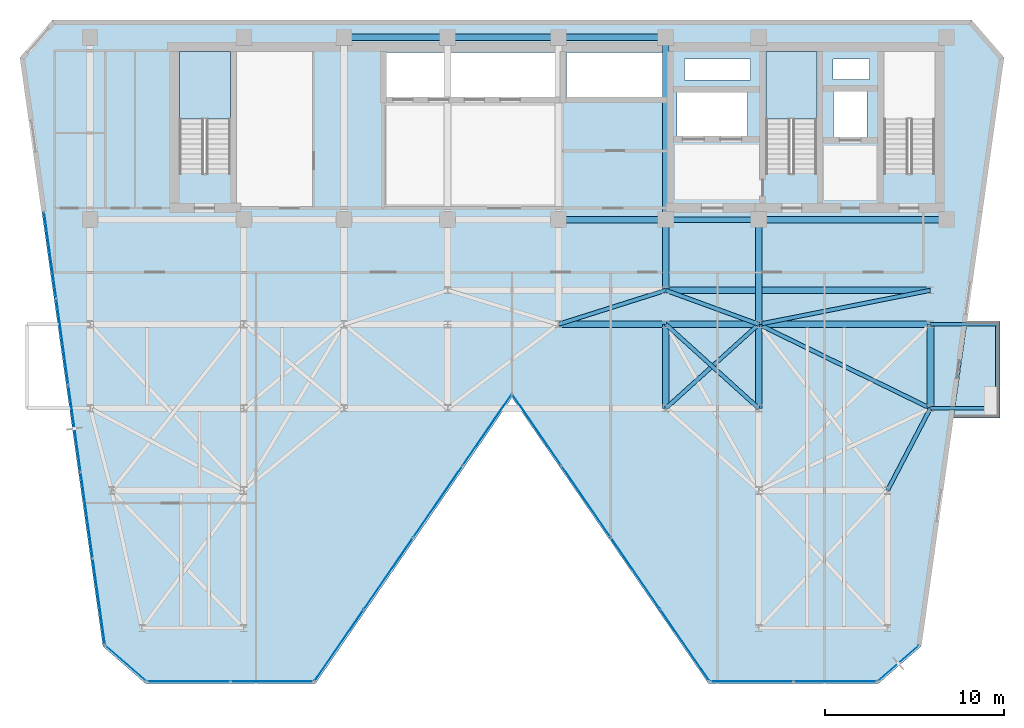
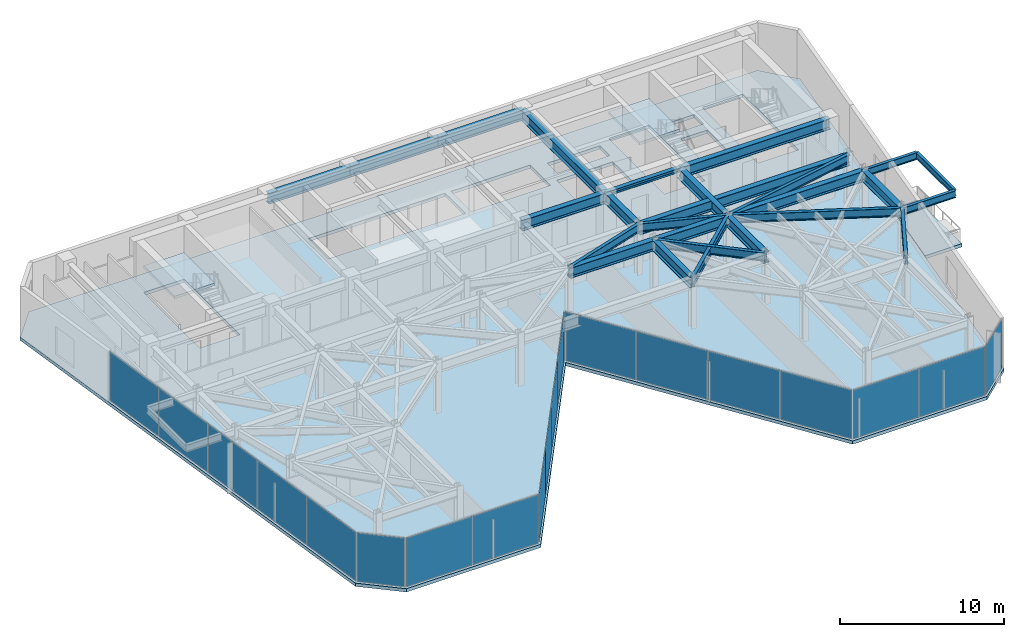
# One storey, part 21 of 26: 26 beams, 19 plates, 4 slabs, 9 elements without a shape of their own.
"""IFC4 building model written with IfcOpenShell, lengths in metres."""

import ifcopenshell
import ifcopenshell.guid

model = None  # the IFC model being written
_history = None  # IfcOwnerHistory: only IFC2X3 demands one
_inside = {}  # id of a spatial element -> (the spatial element, [elements in it])
_under = {}  # id of a project, library or spatial element -> (it, [spatial elements below it])
_declared = {}  # id of a project -> (the project, [libraries it declares])
_typed = {}  # id of a type object -> (the type object, [elements of that type])
_made_of = {}  # id of a material, layer set ... -> (it, [elements and type objects made of it])


def new_model(schema):
    """Start an empty IFC model of exactly this schema.

    Asked for "IFC4X3", IfcOpenShell would pick the latest addendum, in which some entities
    have other attributes; the version numbers below select the first issue.
    IFC2X3 requires an IfcOwnerHistory on every rooted entity: one is made here for all.
    """
    global model, _history
    if schema == "IFC4X3":
        model = ifcopenshell.file(schema_version=(4, 3, 0, 0))
    else:
        model = ifcopenshell.file(schema=schema)
    _inside.clear()
    _under.clear()
    _declared.clear()
    _typed.clear()
    _made_of.clear()
    _history = None
    if model.schema == "IFC2X3":
        org = make("IfcOrganization", Name="unknown")
        user = make(
            "IfcPersonAndOrganization",
            ThePerson=make("IfcPerson", FamilyName="unknown"),
            TheOrganization=org,
        )
        app = make(
            "IfcApplication",
            ApplicationDeveloper=org,
            Version="unknown",
            ApplicationFullName="unknown",
            ApplicationIdentifier="unknown",
        )
        _history = make(
            "IfcOwnerHistory",
            OwningUser=user,
            OwningApplication=app,
            ChangeAction="ADDED",
            CreationDate=0,
        )
    return model


def make(cls, **values):
    """One entity of the class cls with the attributes given. An attribute that is None is left unset."""
    return model.create_entity(
        cls, **{name: value for name, value in values.items() if value is not None}
    )


def rooted(cls, **values):
    """An entity with a GlobalId (a new one), such as an element, a storey or a relation."""
    return make(cls, GlobalId=ifcopenshell.guid.new(), OwnerHistory=_history, **values)


def si_unit(unit_type, name, prefix=None):
    """IfcSIUnit, for example si_unit("LENGTHUNIT", "METRE", prefix="MILLI")."""
    return make("IfcSIUnit", UnitType=unit_type, Prefix=prefix, Name=name)


def assignment(units):
    """IfcUnitAssignment: the units of a project."""
    return None if units is None else make("IfcUnitAssignment", Units=units)


def point(xyz):
    """IfcCartesianPoint."""
    return None if xyz is None else make("IfcCartesianPoint", Coordinates=xyz)


def direction(xyz):
    """IfcDirection."""
    return None if xyz is None else make("IfcDirection", DirectionRatios=xyz)


def frame(location, z_axis=None, x_axis=None):
    """IfcAxis2Placement3D, a coordinate frame: its origin and axes. An axis left out is left unset."""
    return make(
        "IfcAxis2Placement3D",
        Location=point(location),
        Axis=direction(z_axis),
        RefDirection=direction(x_axis),
    )


def frame_2d(location, x_axis=None):
    """IfcAxis2Placement2D, a coordinate frame in the plane: its origin and x axis."""
    return make(
        "IfcAxis2Placement2D", Location=point(location), RefDirection=direction(x_axis)
    )


def origin():
    """The frame at (0, 0, 0) with its axes left unset."""
    return frame((0.0, 0.0, 0.0))


def origin_2d():
    """The frame at (0, 0) in the plane with its x axis left unset."""
    return frame_2d((0.0, 0.0))


def place(relative_to, where):
    """IfcLocalPlacement: puts the frame where relative to a parent placement (None: the world)."""
    return make(
        "IfcLocalPlacement", PlacementRelTo=relative_to, RelativePlacement=where
    )


def context(
    kind, dimensions, precision=None, world=None, true_north=None, identifier=None
):
    """IfcGeometricRepresentationContext, for example the 3D "Model" context."""
    return make(
        "IfcGeometricRepresentationContext",
        ContextIdentifier=identifier,
        ContextType=kind,
        CoordinateSpaceDimension=dimensions,
        Precision=precision,
        WorldCoordinateSystem=world,
        TrueNorth=true_north,
    )


def subcontext(parent, identifier, kind, view, scale=None):
    """IfcGeometricRepresentationSubContext, for example "Body" below "Model"."""
    return make(
        "IfcGeometricRepresentationSubContext",
        ContextIdentifier=identifier,
        ContextType=kind,
        ParentContext=parent,
        TargetScale=scale,
        TargetView=view,
    )


def project(units=None, contexts=None):
    """IfcProject with its units and contexts."""
    return rooted(
        "IfcProject",
        Name="project",
        RepresentationContexts=contexts,
        UnitsInContext=assignment(units),
    )


def spatial(cls, under=None, at=None, **own):
    """A site, building, storey or space (cls), placed at a placement, below another one or the project."""
    s = rooted(cls, ObjectPlacement=at, **own)
    if under is not None:
        _under.setdefault(under.id(), (under, []))[1].append(s)
    return s


def polyline(points):
    """IfcPolyline through the points."""
    return make("IfcPolyline", Points=[point(p) for p in points])


def profile(cls, at=None, kind="AREA", **sizes):
    """A parametric profile (cls). Its sizes go by their IFC names, for example OverallWidth=200.0."""
    return make(cls, ProfileType=kind, Position=at, **sizes)


def rectangle(**sizes):
    """IfcRectangleProfileDef."""
    return profile("IfcRectangleProfileDef", **sizes)


def i_section(**sizes):
    """IfcIShapeProfileDef."""
    return profile("IfcIShapeProfileDef", **sizes)


def outline(outer, holes=None, kind="AREA"):
    """IfcArbitraryClosedProfileDef: a profile drawn as a closed curve; with holes, ...WithVoids."""
    if holes is None:
        return make("IfcArbitraryClosedProfileDef", ProfileType=kind, OuterCurve=outer)
    return make(
        "IfcArbitraryProfileDefWithVoids",
        ProfileType=kind,
        OuterCurve=outer,
        InnerCurves=holes,
    )


def extrude(swept, where, along, depth):
    """IfcExtrudedAreaSolid: the profile swept, set in the frame where, extruded along a direction by depth."""
    return make(
        "IfcExtrudedAreaSolid",
        SweptArea=swept,
        Position=where,
        ExtrudedDirection=direction(along),
        Depth=depth,
    )


def shape(context_of_items, identifier, shape_type, items):
    """IfcShapeRepresentation: the items that make up one representation, for example the "Body"."""
    return make(
        "IfcShapeRepresentation",
        ContextOfItems=context_of_items,
        RepresentationIdentifier=identifier,
        RepresentationType=shape_type,
        Items=items,
    )


def material(Name=None, Category=None):
    """IfcMaterial."""
    return make("IfcMaterial", Name=Name, Category=Category)


def layer(
    of_material, thickness, ventilated=None, Name=None, Category=None, Priority=None
):
    """IfcMaterialLayer: one layer of a wall or slab, of a material (None: an air gap)."""
    return make(
        "IfcMaterialLayer",
        Material=of_material,
        LayerThickness=thickness,
        IsVentilated=ventilated,
        Name=Name,
        Category=Category,
        Priority=Priority,
    )


def layer_set(layers, Name=None):
    """IfcMaterialLayerSet."""
    return make("IfcMaterialLayerSet", MaterialLayers=layers, LayerSetName=Name)


def material_profile(
    of_material, cross_section, Name=None, Category=None, Priority=None
):
    """IfcMaterialProfile: a cross section and its material."""
    return make(
        "IfcMaterialProfile",
        Name=Name,
        Material=of_material,
        Profile=cross_section,
        Priority=Priority,
        Category=Category,
    )


def profile_set(profiles, Name=None, composite=None):
    """IfcMaterialProfileSet."""
    return make(
        "IfcMaterialProfileSet",
        Name=Name,
        MaterialProfiles=profiles,
        CompositeProfile=composite,
    )


def made_of(thing, what):
    """Note that an element or type object is made of a material, layer set ...; save() writes the relation."""
    if what is not None:
        _made_of.setdefault(what.id(), (what, []))[1].append(thing)
    return thing


def type_object(cls, material=None, **own):
    """A type object (cls), such as IfcWallType, which elements share."""
    return made_of(rooted(cls, **own), material)


def element(
    cls,
    number,
    at=None,
    inside=None,
    cuts=None,
    type_object=None,
    material=None,
    context=None,
    identifier="Body",
    shape_type=None,
    held_by="IfcProductDefinitionShape",
    body=None,
    shapes=None,
    **own,
):
    """One element of the class cls, such as IfcWall. Its Tag is "e" and its number.

    at: its placement. inside: the storey or other place that contains it. cuts: it is an
    opening in that element (IfcRelVoidsElement). A single representation is given by context,
    identifier, shape_type and body (its items); several are given by shapes. held_by: the class
    of the entity that holds the representations. save() writes the other relations.
    """
    e = rooted(cls, Tag="e%d" % number, ObjectPlacement=at, **own)
    if body is not None:
        shapes = [shape(context, identifier, shape_type, body)]
    if shapes is not None:
        e.Representation = make(held_by, Representations=shapes)
    if inside is not None:
        _inside.setdefault(inside.id(), (inside, []))[1].append(e)
    if cuts is not None:
        rooted(
            "IfcRelVoidsElement", RelatingBuildingElement=cuts, RelatedOpeningElement=e
        )
    if type_object is not None:
        _typed.setdefault(type_object.id(), (type_object, []))[1].append(e)
    return made_of(e, material)


def aggregate(whole, parts):
    """IfcRelAggregates: a whole, such as a stair, and the parts it consists of."""
    return rooted("IfcRelAggregates", RelatingObject=whole, RelatedObjects=parts)


def save(model, path):
    """Write the relations noted so far, then the file.

    IfcRelAggregates (storeys below a building ...), IfcRelContainedInSpatialStructure (elements
    in a storey), IfcRelDefinesByType, IfcRelAssociatesMaterial and IfcRelDeclares: one each for
    every whole, place, type object, material and project.
    """
    for whole, parts in _under.values():
        aggregate(whole, parts)
    for where, things in _inside.values():
        rooted(
            "IfcRelContainedInSpatialStructure",
            RelatedElements=things,
            RelatingStructure=where,
        )
    for kind, things in _typed.values():
        rooted("IfcRelDefinesByType", RelatedObjects=things, RelatingType=kind)
    for what, things in _made_of.values():
        rooted("IfcRelAssociatesMaterial", RelatedObjects=things, RelatingMaterial=what)
    for by, libraries in _declared.values():
        rooted("IfcRelDeclares", RelatingContext=by, RelatedDefinitions=libraries)
    model.write(path)


model = new_model("IFC4")

# Units and contexts
model_context = context("Model", 3, precision=1e-05, world=origin(), true_north=direction((0.0, 1.0)))
body_context = subcontext(model_context, "Body", "Model", "MODEL_VIEW")
ifc_project = project(units=[si_unit("LENGTHUNIT", "METRE"), si_unit("AREAUNIT", "SQUARE_METRE"), si_unit("VOLUMEUNIT", "CUBIC_METRE"), si_unit("PLANEANGLEUNIT", "RADIAN"), si_unit("MASSUNIT", "GRAM", prefix="KILO")], contexts=[model_context])

# Site, building, storey
site_placement = place(None, origin())
site = spatial("IfcSite", under=ifc_project, at=site_placement, CompositionType="ELEMENT")
building_placement = place(site_placement, origin())
building = spatial("IfcBuilding", under=site, at=building_placement, Name="Kravanh Interchange Tower", CompositionType="ELEMENT")
storey_placement = place(building_placement, frame((0.0, 0.0, 172.5)))
storey = spatial("IfcBuildingStorey", under=building, at=storey_placement, Name="L41", CompositionType="ELEMENT", Elevation=172.5)

# Beams
ifc_material_1 = material(Name="Structural Steel S355", Category="steel")
ifc_material_profile_1 = material_profile(ifc_material_1, i_section(OverallWidth=0.381103515625, OverallDepth=0.77294921875, WebThickness=0.0166015625, FlangeThickness=0.027099609375, FilletRadius=0.02490234375, at=origin_2d()), Name="W30X173")
ifc_profile_set_1 = profile_set([ifc_material_profile_1], Name="Structural Steel S355")
beam_type_1 = type_object("IfcBeamType", Name="Floor Beam W30X173 Structural Steel S355", PredefinedType="BEAM", material=ifc_profile_set_1)
beam_1_placement = place(storey_placement, frame((66.5, 37.35009765625, 3.368408203125), z_axis=(-1.0, 0.0, 0.0), x_axis=(0.0, -1.0, 0.0)))
element("IfcBeam", 1, at=beam_1_placement, inside=storey, type_object=beam_type_1, Name="L41 Primary Floor Girder 5", PredefinedType="BEAM", context=body_context, shape_type="SweptSolid", body=[
    extrude(i_section(OverallWidth=0.381103515625, OverallDepth=0.77294921875, WebThickness=0.0166015625, FlangeThickness=0.027099609375, FilletRadius=0.02490234375, at=origin_2d()), origin(), (0.0, 0.0, 1.0), 10.5),
])
beam_2_placement = place(storey_placement, frame((56.0, 37.35009765625, 3.368408203125), z_axis=(0.0, -1.0, 0.0), x_axis=(1.0, 0.0, 0.0)))
element("IfcBeam", 2, at=beam_2_placement, inside=storey, type_object=beam_type_1, Name="L41 Primary Floor Girder 7", PredefinedType="BEAM", context=body_context, shape_type="SweptSolid", body=[
    extrude(i_section(OverallWidth=0.381103515625, OverallDepth=0.77294921875, WebThickness=0.0166015625, FlangeThickness=0.027099609375, FilletRadius=0.02490234375, at=origin_2d()), origin(), (0.0, 0.0, 1.0), 5.85009765625),
])
beam_3_placement = place(storey_placement, frame((50.800048828125, 47.550048828125, 3.368408203125), z_axis=(-1.0, 0.0, 0.0), x_axis=(0.0, -1.0, 0.0)))
element("IfcBeam", 3, at=beam_3_placement, inside=storey, type_object=beam_type_1, Name="L41 Primary Floor Girder 8", PredefinedType="BEAM", context=body_context, shape_type="SweptSolid", body=[
    extrude(i_section(OverallWidth=0.381103515625, OverallDepth=0.77294921875, WebThickness=0.0166015625, FlangeThickness=0.027099609375, FilletRadius=0.02490234375, at=origin_2d()), origin(), (0.0, 0.0, 1.0), 6.0),
])
beam_4_placement = place(storey_placement, frame((50.800048828125, 47.550048828125, 3.368408203125), z_axis=(0.0, -1.0, 0.0), x_axis=(1.0, 0.0, 0.0)))
element("IfcBeam", 4, at=beam_4_placement, inside=storey, type_object=beam_type_1, Name="L41 Primary Floor Girder 9", PredefinedType="BEAM", context=body_context, shape_type="SweptSolid", body=[
    extrude(i_section(OverallWidth=0.381103515625, OverallDepth=0.77294921875, WebThickness=0.0166015625, FlangeThickness=0.027099609375, FilletRadius=0.02490234375, at=origin_2d()), origin(), (0.0, 0.0, 1.0), 10.199951171875),
])
beam_5_placement = place(storey_placement, frame((50.800048828125, 37.35009765625, 3.368408203125), z_axis=(0.0, -1.0, 0.0), x_axis=(1.0, 0.0, 0.0)))
element("IfcBeam", 5, at=beam_5_placement, inside=storey, type_object=beam_type_1, Name="L41 Primary Floor Girder 10", PredefinedType="BEAM", context=body_context, shape_type="SweptSolid", body=[
    extrude(i_section(OverallWidth=0.381103515625, OverallDepth=0.77294921875, WebThickness=0.0166015625, FlangeThickness=0.027099609375, FilletRadius=0.02490234375, at=origin_2d()), origin(), (0.0, 0.0, 1.0), 3.9501953125),
])
beam_6_placement = place(storey_placement, frame((50.800048828125, 37.35009765625, 3.368408203125), z_axis=(-1.0, 0.0, 0.0), x_axis=(0.0, -1.0, 0.0)))
element("IfcBeam", 6, at=beam_6_placement, inside=storey, type_object=beam_type_1, Name="L41 Primary Floor Girder 11", PredefinedType="BEAM", context=body_context, shape_type="SweptSolid", body=[
    extrude(i_section(OverallWidth=0.381103515625, OverallDepth=0.77294921875, WebThickness=0.0166015625, FlangeThickness=0.027099609375, FilletRadius=0.02490234375, at=origin_2d()), origin(), (0.0, 0.0, 1.0), 6.0),
])
beam_7_placement = place(storey_placement, frame((44.800048828125, 47.550048828125, 3.368408203125), z_axis=(-1.0, 0.0, 0.0), x_axis=(0.0, -1.0, 0.0)))
element("IfcBeam", 7, at=beam_7_placement, inside=storey, type_object=beam_type_1, Name="L41 Primary Floor Girder 15", PredefinedType="BEAM", context=body_context, shape_type="SweptSolid", body=[
    extrude(i_section(OverallWidth=0.381103515625, OverallDepth=0.77294921875, WebThickness=0.0166015625, FlangeThickness=0.027099609375, FilletRadius=0.02490234375, at=origin_2d()), origin(), (0.0, 0.0, 1.0), 6.199951171875),
])
beam_8_placement = place(storey_placement, frame((38.60009765625, 47.550048828125, 3.368408203125), z_axis=(-1.0, 0.0, 0.0), x_axis=(0.0, -1.0, 0.0)))
element("IfcBeam", 8, at=beam_8_placement, inside=storey, type_object=beam_type_1, Name="L41 Primary Floor Girder 19", PredefinedType="BEAM", context=body_context, shape_type="SweptSolid", body=[
    extrude(i_section(OverallWidth=0.381103515625, OverallDepth=0.77294921875, WebThickness=0.0166015625, FlangeThickness=0.027099609375, FilletRadius=0.02490234375, at=origin_2d()), origin(), (0.0, 0.0, 1.0), 5.800048828125),
])
for number, where, z_axis, x_axis, name in (
    (9, (50.800048828125, 26.800048828125, 3.368408203125), (0.0, 1.0, 0.0), (-1.0, 0.0, 0.0), "L41 Primary Floor Girder 49"),
    (10, (56.0, 26.800048828125, 3.368408203125), (0.0, 1.0, 0.0), (-1.0, 0.0, 0.0), "L41 Primary Floor Girder 54"),
    (11, (65.60009765625, 26.800048828125, 3.368408203125), (0.0, 1.0, 0.0), (-1.0, 0.0, 0.0), "L41 Primary Floor Girder 57"),
):
    element("IfcBeam", number, at=place(storey_placement, frame(where, z_axis=z_axis, x_axis=x_axis)), inside=storey, type_object=beam_type_1, Name=name, PredefinedType="BEAM", context=body_context, shape_type="SweptSolid", body=[
        extrude(i_section(OverallWidth=0.381103515625, OverallDepth=0.77294921875, WebThickness=0.0166015625, FlangeThickness=0.027099609375, FilletRadius=0.02490234375, at=origin_2d()), origin(), (0.0, 0.0, 1.0), 4.699951171875),
    ])
beam_9_placement = place(storey_placement, frame((44.800048828125, 31.5, 3.368408203125), z_axis=(1.0, 0.0, 0.0), x_axis=(0.0, 1.0, 0.0)))
element("IfcBeam", 12, at=beam_9_placement, inside=storey, type_object=beam_type_1, Name="L41 Primary Floor Girder 74", PredefinedType="BEAM", context=body_context, shape_type="SweptSolid", body=[
    extrude(i_section(OverallWidth=0.381103515625, OverallDepth=0.77294921875, WebThickness=0.0166015625, FlangeThickness=0.027099609375, FilletRadius=0.02490234375, at=origin_2d()), origin(), (0.0, 0.0, 1.0), 6.0),
])
beam_10_placement = place(storey_placement, frame((50.800048828125, 31.5, 3.368408203125), z_axis=(1.0, 0.0, 0.0), x_axis=(0.0, 1.0, 0.0)))
element("IfcBeam", 13, at=beam_10_placement, inside=storey, type_object=beam_type_1, Name="L41 Primary Floor Girder 77", PredefinedType="BEAM", context=body_context, shape_type="SweptSolid", body=[
    extrude(i_section(OverallWidth=0.381103515625, OverallDepth=0.77294921875, WebThickness=0.0166015625, FlangeThickness=0.027099609375, FilletRadius=0.02490234375, at=origin_2d()), origin(), (0.0, 0.0, 1.0), 5.199951171875),
])
beam_11_placement = place(storey_placement, frame((56.0, 31.5, 3.368408203125), z_axis=(1.0, 0.0, 0.0), x_axis=(0.0, 1.0, 0.0)))
element("IfcBeam", 14, at=beam_11_placement, inside=storey, type_object=beam_type_1, Name="L41 Primary Floor Girder 81", PredefinedType="BEAM", context=body_context, shape_type="SweptSolid", body=[
    extrude(i_section(OverallWidth=0.381103515625, OverallDepth=0.77294921875, WebThickness=0.0166015625, FlangeThickness=0.027099609375, FilletRadius=0.02490234375, at=origin_2d()), origin(), (0.0, 0.0, 1.0), 9.60009765625),
])
beam_12_placement = place(storey_placement, frame((50.800048828125, 33.39990234375, 3.368408203125), z_axis=(1.0, 0.0, 0.0), x_axis=(0.0, 1.0, 0.0)))
element("IfcBeam", 15, at=beam_12_placement, inside=storey, type_object=beam_type_1, Name="L41 Primary Floor Girder 95", PredefinedType="BEAM", context=body_context, shape_type="SweptSolid", body=[
    extrude(i_section(OverallWidth=0.381103515625, OverallDepth=0.77294921875, WebThickness=0.0166015625, FlangeThickness=0.027099609375, FilletRadius=0.02490234375, at=origin_2d()), origin(), (0.0, 0.0, 1.0), 14.800048828125),
])
ifc_material_2 = material(Name="Structural Steel S355", Category="steel")
ifc_material_profile_2 = material_profile(ifc_material_2, i_section(OverallWidth=0.18994140625, OverallDepth=0.45703125, WebThickness=0.009033203125, FlangeThickness=0.014404296875, FilletRadius=0.01806640625, at=origin_2d()), Name="W18X50")
ifc_profile_set_2 = profile_set([ifc_material_profile_2], Name="Structural Steel S355")
beam_type_2 = type_object("IfcBeamType", Name="Floor Joist W18X50 Structural Steel S355", PredefinedType="JOIST", material=ifc_profile_set_2)
beam_13_placement = place(storey_placement, frame((69.330078125, 26.800048828125, 3.526611328125), z_axis=(0.0, 1.0, 0.0), x_axis=(-1.0, 0.0, 0.0)))
element("IfcBeam", 16, at=beam_13_placement, inside=storey, type_object=beam_type_2, Name="L41 Balcony Edge Tie Beam E", PredefinedType="JOIST", context=body_context, shape_type="SweptSolid", body=[
    extrude(i_section(OverallWidth=0.18994140625, OverallDepth=0.45703125, WebThickness=0.009033203125, FlangeThickness=0.014404296875, FilletRadius=0.01806640625, at=origin_2d()), origin(), (0.0, 0.0, 1.0), 4.699951171875),
])
ifc_material_3 = material(Name="Structural Steel S355", Category="steel")
ifc_material_profile_3 = material_profile(ifc_material_3, i_section(OverallWidth=0.304931640625, OverallDepth=0.306884765625, WebThickness=0.010009765625, FlangeThickness=0.015380859375, FilletRadius=0.014892578125, at=origin_2d()), Name="W12X65")
ifc_profile_set_3 = profile_set([ifc_material_profile_3], Name="Structural Steel S355")
beam_type_3 = type_object("IfcBeamType", Name="Floor Lintel W12X65 Structural Steel S355", PredefinedType="LINTEL", material=ifc_profile_set_3)
beam_14_placement = place(storey_placement, frame((50.800048828125, 37.35009765625, 3.6015625), z_axis=(1.0, 0.0, 0.0), x_axis=(0.0, 1.0, 0.0)))
element("IfcBeam", 17, at=beam_14_placement, inside=storey, type_object=beam_type_3, Name="L41 Core Coupling Lintel 1", PredefinedType="LINTEL", context=body_context, shape_type="SweptSolid", body=[
    extrude(i_section(OverallWidth=0.304931640625, OverallDepth=0.306884765625, WebThickness=0.010009765625, FlangeThickness=0.015380859375, FilletRadius=0.014892578125, at=origin_2d()), origin(), (0.0, 0.0, 1.0), 5.199951171875),
])
ifc_material_4 = material(Name="Structural Steel S355", Category="steel")
ifc_material_profile_4 = material_profile(ifc_material_4, i_section(OverallWidth=0.2099609375, OverallDepth=0.537109375, WebThickness=0.010986328125, FlangeThickness=0.017333984375, FilletRadius=0.02001953125, at=origin_2d()), Name="W21X68")
ifc_profile_set_4 = profile_set([ifc_material_profile_4], Name="Structural Steel S355")
beam_type_4 = type_object("IfcBeamType", Name="Floor Spandrel W21X68 Structural Steel S355", PredefinedType="SPANDREL", material=ifc_profile_set_4)
for number, where, z_axis, x_axis, name in (
    (18, (65.60009765625, 26.800048828125, 3.486572265625), (1.0, 0.0, 0.0), (0.0, 1.0, 0.0), "L41 Balcony Cantilever Outrigger E1"),
    (19, (65.60009765625, 31.5, 3.486572265625), (1.0, 0.0, 0.0), (0.0, 1.0, 0.0), "L41 Balcony Cantilever Outrigger E2"),
):
    element("IfcBeam", number, at=place(storey_placement, frame(where, z_axis=z_axis, x_axis=x_axis)), inside=storey, type_object=beam_type_4, Name=name, PredefinedType="SPANDREL", context=body_context, shape_type="SweptSolid", body=[
        extrude(i_section(OverallWidth=0.2099609375, OverallDepth=0.537109375, WebThickness=0.010986328125, FlangeThickness=0.017333984375, FilletRadius=0.02001953125, at=origin_2d()), origin(), (0.0, 0.0, 1.0), 3.72998046875),
    ])
ifc_material_5 = material(Name="Structural Steel S355", Category="steel")
ifc_material_profile_5 = material_profile(ifc_material_5, i_section(OverallWidth=0.22802734375, OverallDepth=0.60791015625, WebThickness=0.01123046875, FlangeThickness=0.017333984375, FilletRadius=0.02197265625, at=origin_2d()), Name="W24X76")
ifc_profile_set_5 = profile_set([ifc_material_profile_5], Name="Structural Steel S355")
beam_type_5 = type_object("IfcBeamType", Name="Floor Spandrel W24X76 Structural Steel S355", PredefinedType="SPANDREL", material=ifc_profile_set_5)
for number, where, z_axis, x_axis, name in (
    (20, (50.800048828125, 26.800048828125, 3.450927734375), (0.741874009795, 0.670539300557, 0.0), (-0.670539300557, 0.741874009795, 0.0), "L41 Perimeter Spandrel 52"),
    (21, (56.0, 26.800048828125, 3.450927734375), (-0.741874009795, 0.670539300557, 0.0), (-0.670539300557, -0.741874009795, 0.0), "L41 Perimeter Spandrel 55"),
):
    element("IfcBeam", number, at=place(storey_placement, frame(where, z_axis=z_axis, x_axis=x_axis)), inside=storey, type_object=beam_type_5, Name=name, PredefinedType="SPANDREL", context=body_context, shape_type="SweptSolid", body=[
        extrude(i_section(OverallWidth=0.22802734375, OverallDepth=0.60791015625, WebThickness=0.01123046875, FlangeThickness=0.017333984375, FilletRadius=0.02197265625, at=origin_2d()), origin(), (0.0, 0.0, 1.0), 7.00927734375),
    ])
beam_15_placement = place(storey_placement, frame((65.60009765625, 26.800048828125, 3.450927734375), z_axis=(-0.462580479178, -0.886577295155, 0.0), x_axis=(0.886577295155, -0.462580479178, 0.0)))
element("IfcBeam", 22, at=beam_15_placement, inside=storey, type_object=beam_type_5, Name="L41 Perimeter Spandrel 58", PredefinedType="SPANDREL", context=body_context, shape_type="SweptSolid", body=[
    extrude(i_section(OverallWidth=0.22802734375, OverallDepth=0.60791015625, WebThickness=0.01123046875, FlangeThickness=0.017333984375, FilletRadius=0.02197265625, at=origin_2d()), origin(), (0.0, 0.0, 1.0), 5.188720703125),
])
beam_16_placement = place(storey_placement, frame((65.60009765625, 26.800048828125, 3.450927734375), z_axis=(-0.898141688387, 0.439706160499, 0.0), x_axis=(-0.439706160499, -0.898141688387, 0.0)))
element("IfcBeam", 23, at=beam_16_placement, inside=storey, type_object=beam_type_5, Name="L41 Perimeter Spandrel 60", PredefinedType="SPANDREL", context=body_context, shape_type="SweptSolid", body=[
    extrude(i_section(OverallWidth=0.22802734375, OverallDepth=0.60791015625, WebThickness=0.01123046875, FlangeThickness=0.017333984375, FilletRadius=0.02197265625, at=origin_2d()), origin(), (0.0, 0.0, 1.0), 10.68896484375),
])
beam_17_placement = place(storey_placement, frame((44.800048828125, 31.5, 3.450927734375), z_axis=(0.953346691051, 0.301877602122, 0.0), x_axis=(-0.301877602122, 0.953346691051, 0.0)))
element("IfcBeam", 24, at=beam_17_placement, inside=storey, type_object=beam_type_5, Name="L41 Perimeter Spandrel 75", PredefinedType="SPANDREL", context=body_context, shape_type="SweptSolid", body=[
    extrude(i_section(OverallWidth=0.22802734375, OverallDepth=0.60791015625, WebThickness=0.01123046875, FlangeThickness=0.017333984375, FilletRadius=0.02197265625, at=origin_2d()), origin(), (0.0, 0.0, 1.0), 6.293701171875),
])
beam_18_placement = place(storey_placement, frame((56.0, 31.5, 3.450927734375), z_axis=(-0.93926957103, 0.343180233896, 0.0), x_axis=(-0.343180233896, -0.93926957103, 0.0)))
element("IfcBeam", 25, at=beam_18_placement, inside=storey, type_object=beam_type_5, Name="L41 Perimeter Spandrel 80", PredefinedType="SPANDREL", context=body_context, shape_type="SweptSolid", body=[
    extrude(i_section(OverallWidth=0.22802734375, OverallDepth=0.60791015625, WebThickness=0.01123046875, FlangeThickness=0.017333984375, FilletRadius=0.02197265625, at=origin_2d()), origin(), (0.0, 0.0, 1.0), 5.5361328125),
])
beam_19_placement = place(storey_placement, frame((56.0, 31.5, 3.450927734375), z_axis=(0.980974000807, 0.194139150457, 0.0), x_axis=(-0.194139150457, 0.980974000807, 0.0)))
element("IfcBeam", 26, at=beam_19_placement, inside=storey, type_object=beam_type_5, Name="L41 Perimeter Spandrel 82", PredefinedType="SPANDREL", context=body_context, shape_type="SweptSolid", body=[
    extrude(i_section(OverallWidth=0.22802734375, OverallDepth=0.60791015625, WebThickness=0.01123046875, FlangeThickness=0.017333984375, FilletRadius=0.02197265625, at=origin_2d()), origin(), (0.0, 0.0, 1.0), 9.786376953125),
])

# Slab
ifc_material_6 = material(Name="Concrete C50/60", Category="concrete")
ifc_layer_1 = layer(ifc_material_6, 0.2451171875)
ifc_layer_set_1 = layer_set([ifc_layer_1], Name="Composite Floor Slab Concrete C50/60 245mm")
slab_type_1 = type_object("IfcSlabType", Name="Composite Floor Slab Concrete C50/60 245mm", PredefinedType="FLOOR", material=ifc_layer_set_1)
slab_1_placement = place(storey_placement, frame((0.0, 0.0, -0.2451171875)))
element("IfcSlab", 27, at=slab_1_placement, inside=storey, type_object=slab_type_1, Name="L41 Structural Floor Slab", PredefinedType="FLOOR", context=body_context, shape_type="SweptSolid", body=[
    extrude(outline(polyline([(19.32177734375, 13.4794921875), (21.714111328125, 11.39990234375), (31.199951171875, 11.39990234375), (42.199951171875, 27.39990234375), (53.199951171875, 11.39990234375), (62.685791015625, 11.39990234375), (65.078125, 13.4794921875), (69.707763671875, 46.42041015625), (67.89990234375, 48.5), (16.5, 48.5), (14.6923828125, 46.42041015625), (19.32177734375, 13.4794921875)]), holes=[polyline([(65.85009765625, 39.925048828125), (65.85009765625, 46.75), (63.0, 46.75), (63.0, 39.925048828125), (65.85009765625, 39.925048828125)]), polyline([(59.25, 39.925048828125), (59.25, 46.75), (56.39990234375, 46.75), (56.39990234375, 39.925048828125), (59.25, 39.925048828125)]), polyline([(26.449951171875, 39.925048828125), (26.449951171875, 46.75), (23.60009765625, 46.75), (23.60009765625, 39.925048828125), (26.449951171875, 39.925048828125)]), polyline([(35.179931640625, 44.219970703125), (44.840087890625, 44.219970703125), (44.840087890625, 46.699951171875), (35.179931640625, 46.699951171875), (35.179931640625, 44.219970703125)]), polyline([(45.239990234375, 44.219970703125), (50.840087890625, 44.219970703125), (50.840087890625, 46.699951171875), (45.239990234375, 46.699951171875), (45.239990234375, 44.219970703125)]), polyline([(51.419921875, 42.02001953125), (55.3798828125, 42.02001953125), (55.3798828125, 44.47998046875), (51.419921875, 44.47998046875), (51.419921875, 42.02001953125)]), polyline([(60.179931640625, 41.97998046875), (62.06005859375, 41.97998046875), (62.06005859375, 44.52001953125), (60.179931640625, 44.52001953125), (60.179931640625, 41.97998046875)]), polyline([(60.14990234375, 45.199951171875), (62.199951171875, 45.199951171875), (62.199951171875, 46.35009765625), (60.14990234375, 46.35009765625), (60.14990234375, 45.199951171875)]), polyline([(51.85009765625, 45.14990234375), (55.550048828125, 45.14990234375), (55.550048828125, 46.35009765625), (51.85009765625, 46.35009765625), (51.85009765625, 45.14990234375)])]), origin(), (0.0, 0.0, 1.0), 0.2451171875),
])

# Stair, slab
ifc_material_7 = material(Name="Concrete C50/60", Category="concrete")
stair_type = type_object("IfcStairType", Name="Core Fire Exit Dogleg Stair Concrete C50/60", PredefinedType="HALF_TURN_STAIR", material=ifc_material_7)
stair_1_placement = place(storey_placement, origin())
stair_1 = element("IfcStair", 28, at=stair_1_placement, inside=storey, type_object=stair_type, Name="L41 Exit Stair ST2", PredefinedType="HALF_TURN_STAIR")
ifc_material_8 = material(Name="Concrete C50/60", Category="concrete")
ifc_layer_2 = layer(ifc_material_8, 0.199951171875)
ifc_layer_set_2 = layer_set([ifc_layer_2], Name="Concrete C50/60 Stair Half-Landing Slab 200mm")
slab_type_2 = type_object("IfcSlabType", Name="Concrete C50/60 Stair Half-Landing Slab 200mm", PredefinedType="LANDING", material=ifc_layer_set_2)
slab_2_placement = place(storey_placement, frame((0.0, 0.0, 1.800048828125)))
slab_2 = element("IfcSlab", 29, at=slab_2_placement, type_object=slab_type_2, Name="ST2 landing 1", PredefinedType="LANDING", context=body_context, shape_type="SweptSolid", body=[
    extrude(outline(polyline([(59.25, 42.97998046875), (59.25, 46.75), (56.39990234375, 46.75), (56.39990234375, 42.97998046875), (59.25, 42.97998046875)])), origin(), (0.0, 0.0, 1.0), 0.199951171875),
])
aggregate(stair_1, [slab_2])

stair_2_placement = place(storey_placement, origin())
stair_2 = element("IfcStair", 30, at=stair_2_placement, inside=storey, type_object=stair_type, Name="L41 Exit Stair ST3", PredefinedType="HALF_TURN_STAIR")
slab_3_placement = place(storey_placement, frame((0.0, 0.0, 1.800048828125)))
slab_3 = element("IfcSlab", 31, at=slab_3_placement, type_object=slab_type_2, Name="ST3 landing 1", PredefinedType="LANDING", context=body_context, shape_type="SweptSolid", body=[
    extrude(outline(polyline([(26.449951171875, 42.97998046875), (26.449951171875, 46.75), (23.60009765625, 46.75), (23.60009765625, 42.97998046875), (26.449951171875, 42.97998046875)])), origin(), (0.0, 0.0, 1.0), 0.199951171875),
])
aggregate(stair_2, [slab_3])

# Curtain wall, plates
ifc_material_9 = material(Name="Anodised Bronze Aluminium", Category="aluminium")
ifc_layer_3 = layer(ifc_material_9, 0.179931640625)
ifc_layer_set_3 = layer_set([ifc_layer_3], Name="Unitised Curtain Wall System CW-Z3 Upper Office")
curtain_wall_type = type_object("IfcCurtainWallType", Name="Unitised Curtain Wall System CW-Z3 Upper Office", PredefinedType="NOTDEFINED", material=ifc_layer_set_3)
curtain_wall_1_placement = place(storey_placement, origin())
curtain_wall_1 = element("IfcCurtainWall", 32, at=curtain_wall_1_placement, inside=storey, type_object=curtain_wall_type, Name="L41 Unitised Curtain Wall CW-L41-01", PredefinedType="NOTDEFINED")
ifc_material_10 = material(Name="Low-E Laminated Architectural Glass", Category="glass")
ifc_layer_4 = layer(ifc_material_10, 0.02392578125)
ifc_layer_set_4 = layer_set([ifc_layer_4], Name="High-Selectivity Double Glazing 24mm")
plate_type = type_object("IfcPlateType", Name="High-Selectivity Double Glazing 24mm", PredefinedType="CURTAIN_PANEL", material=ifc_layer_set_4)
plate_1_placement = place(storey_placement, frame((19.09130859375, 15.9814453125, 0.06005859375), z_axis=(0.0, 0.0, 1.0), x_axis=(-0.139172209446, 0.990268194035, 0.0)))
plate_1 = element("IfcPlate", 33, at=plate_1_placement, type_object=plate_type, Name="CW-Z3 panel 1.1", PredefinedType="CURTAIN_PANEL", context=body_context, shape_type="SweptSolid", body=[
    extrude(rectangle(XDim=4.8095703125, YDim=0.02392578125, at=origin_2d()), origin(), (0.0, 0.0, 1.0), 3.635009765625),
])
plate_2_placement = place(storey_placement, frame((18.41162109375, 20.818603515625, 0.06005859375), z_axis=(0.0, 0.0, 1.0), x_axis=(-0.139172209446, 0.990268194035, 0.0)))
plate_2 = element("IfcPlate", 34, at=plate_2_placement, type_object=plate_type, Name="CW-Z3 panel 2.1", PredefinedType="CURTAIN_PANEL", context=body_context, shape_type="SweptSolid", body=[
    extrude(rectangle(XDim=4.839599609375, YDim=0.02392578125, at=origin_2d()), origin(), (0.0, 0.0, 1.0), 3.635009765625),
])
plate_3_placement = place(storey_placement, frame((17.729736328125, 25.67041015625, 0.06005859375), z_axis=(0.0, 0.0, 1.0), x_axis=(-0.139172209446, 0.990268194035, 0.0)))
plate_3 = element("IfcPlate", 35, at=plate_3_placement, type_object=plate_type, Name="CW-Z3 panel 3.1", PredefinedType="CURTAIN_PANEL", context=body_context, shape_type="SweptSolid", body=[
    extrude(rectangle(XDim=4.839599609375, YDim=0.02392578125, at=origin_2d()), origin(), (0.0, 0.0, 1.0), 3.635009765625),
])
plate_4_placement = place(storey_placement, frame((17.0478515625, 30.522216796875, 0.06005859375), z_axis=(0.0, 0.0, 1.0), x_axis=(-0.139172209446, 0.990268194035, 0.0)))
plate_4 = element("IfcPlate", 36, at=plate_4_placement, type_object=plate_type, Name="CW-Z3 panel 4.1", PredefinedType="CURTAIN_PANEL", context=body_context, shape_type="SweptSolid", body=[
    extrude(rectangle(XDim=4.839599609375, YDim=0.02392578125, at=origin_2d()), origin(), (0.0, 0.0, 1.0), 3.635009765625),
])
plate_5_placement = place(storey_placement, frame((16.367919921875, 35.359130859375, 0.06005859375), z_axis=(0.0, 0.0, 1.0), x_axis=(-0.139172209446, 0.990268194035, 0.0)))
plate_5 = element("IfcPlate", 37, at=plate_5_placement, type_object=plate_type, Name="CW-Z3 panel 5.1", PredefinedType="CURTAIN_PANEL", context=body_context, shape_type="SweptSolid", body=[
    extrude(rectangle(XDim=4.8095703125, YDim=0.02392578125, at=origin_2d()), origin(), (0.0, 0.0, 1.0), 3.635009765625),
])
aggregate(curtain_wall_1, [plate_1, plate_2, plate_3, plate_4, plate_5])

# Curtain wall, plate
curtain_wall_2_placement = place(storey_placement, origin())
curtain_wall_2 = element("IfcCurtainWall", 38, at=curtain_wall_2_placement, inside=storey, type_object=curtain_wall_type, Name="L41 Unitised Curtain Wall CW-L41-02", PredefinedType="NOTDEFINED")
plate_6_placement = place(storey_placement, frame((63.80322265625, 12.5302734375, 0.06005859375), z_axis=(0.0, 0.0, 1.0), x_axis=(-0.754716645379, -0.65605090137, 0.0)))
plate_6 = element("IfcPlate", 39, at=plate_6_placement, type_object=plate_type, Name="CW-Z3 panel 1.1", PredefinedType="CURTAIN_PANEL", context=body_context, shape_type="SweptSolid", body=[
    extrude(rectangle(XDim=2.960205078125, YDim=0.02392578125, at=origin_2d()), origin(), (0.0, 0.0, 1.0), 3.635009765625),
])
aggregate(curtain_wall_2, [plate_6])

# Curtain wall, plates
curtain_wall_3_placement = place(storey_placement, origin())
curtain_wall_3 = element("IfcCurtainWall", 40, at=curtain_wall_3_placement, inside=storey, type_object=curtain_wall_type, Name="L41 Unitised Curtain Wall CW-L41-03", PredefinedType="NOTDEFINED")
plate_7_placement = place(storey_placement, frame((60.281494140625, 11.52001953125, 0.06005859375), z_axis=(0.0, 0.0, 1.0), x_axis=(-1.0, 0.0, 0.0)))
plate_7 = element("IfcPlate", 41, at=plate_7_placement, type_object=plate_type, Name="CW-Z3 panel 1.1", PredefinedType="CURTAIN_PANEL", context=body_context, shape_type="SweptSolid", body=[
    extrude(rectangle(XDim=4.598876953125, YDim=0.02392578125, at=origin_2d()), origin(), (0.0, 0.0, 1.0), 3.635009765625),
])
plate_8_placement = place(storey_placement, frame((55.62255859375, 11.52001953125, 0.06005859375), z_axis=(0.0, 0.0, 1.0), x_axis=(-1.0, 0.0, 0.0)))
plate_8 = element("IfcPlate", 42, at=plate_8_placement, type_object=plate_type, Name="CW-Z3 panel 2.1", PredefinedType="CURTAIN_PANEL", context=body_context, shape_type="SweptSolid", body=[
    extrude(rectangle(XDim=4.598876953125, YDim=0.02392578125, at=origin_2d()), origin(), (0.0, 0.0, 1.0), 3.635009765625),
])
aggregate(curtain_wall_3, [plate_7, plate_8])

curtain_wall_4_placement = place(storey_placement, origin())
curtain_wall_4 = element("IfcCurtainWall", 43, at=curtain_wall_4_placement, inside=storey, type_object=curtain_wall_type, Name="L41 Unitised Curtain Wall CW-L41-04", PredefinedType="NOTDEFINED")
plate_9_placement = place(storey_placement, frame((51.871826171875, 13.5439453125, 0.06005859375), z_axis=(0.0, 0.0, 1.0), x_axis=(-0.566528388217, 0.824042223035, 0.0)))
plate_9 = element("IfcPlate", 44, at=plate_9_placement, type_object=plate_type, Name="CW-Z3 panel 1.1", PredefinedType="CURTAIN_PANEL", context=body_context, shape_type="SweptSolid", body=[
    extrude(rectangle(XDim=4.7919921875, YDim=0.02392578125, at=origin_2d()), origin(), (0.0, 0.0, 1.0), 3.635009765625),
])
plate_10_placement = place(storey_placement, frame((49.114501953125, 17.554443359375, 0.06005859375), z_axis=(0.0, 0.0, 1.0), x_axis=(-0.566528388217, 0.824042223035, 0.0)))
plate_10 = element("IfcPlate", 45, at=plate_10_placement, type_object=plate_type, Name="CW-Z3 panel 2.1", PredefinedType="CURTAIN_PANEL", context=body_context, shape_type="SweptSolid", body=[
    extrude(rectangle(XDim=4.822021484375, YDim=0.02392578125, at=origin_2d()), origin(), (0.0, 0.0, 1.0), 3.635009765625),
])
plate_11_placement = place(storey_placement, frame((46.3486328125, 21.577392578125, 0.06005859375), z_axis=(0.0, 0.0, 1.0), x_axis=(-0.566528388217, 0.824042223035, 0.0)))
plate_11 = element("IfcPlate", 46, at=plate_11_placement, type_object=plate_type, Name="CW-Z3 panel 3.1", PredefinedType="CURTAIN_PANEL", context=body_context, shape_type="SweptSolid", body=[
    extrude(rectangle(XDim=4.822021484375, YDim=0.02392578125, at=origin_2d()), origin(), (0.0, 0.0, 1.0), 3.635009765625),
])
plate_12_placement = place(storey_placement, frame((43.59130859375, 25.587890625, 0.06005859375), z_axis=(0.0, 0.0, 1.0), x_axis=(-0.566528388217, 0.824042223035, 0.0)))
plate_12 = element("IfcPlate", 47, at=plate_12_placement, type_object=plate_type, Name="CW-Z3 panel 4.1", PredefinedType="CURTAIN_PANEL", context=body_context, shape_type="SweptSolid", body=[
    extrude(rectangle(XDim=4.7919921875, YDim=0.02392578125, at=origin_2d()), origin(), (0.0, 0.0, 1.0), 3.635009765625),
])
aggregate(curtain_wall_4, [plate_9, plate_10, plate_11, plate_12])

curtain_wall_5_placement = place(storey_placement, origin())
curtain_wall_5 = element("IfcCurtainWall", 48, at=curtain_wall_5_placement, inside=storey, type_object=curtain_wall_type, Name="L41 Unitised Curtain Wall CW-L41-05", PredefinedType="NOTDEFINED")
plate_13_placement = place(storey_placement, frame((40.80859375, 25.587890625, 0.06005859375), z_axis=(0.0, 0.0, 1.0), x_axis=(-0.566528388217, -0.824042223035, 0.0)))
plate_13 = element("IfcPlate", 49, at=plate_13_placement, type_object=plate_type, Name="CW-Z3 panel 1.1", PredefinedType="CURTAIN_PANEL", context=body_context, shape_type="SweptSolid", body=[
    extrude(rectangle(XDim=4.7919921875, YDim=0.02392578125, at=origin_2d()), origin(), (0.0, 0.0, 1.0), 3.635009765625),
])
plate_14_placement = place(storey_placement, frame((38.05126953125, 21.577392578125, 0.06005859375), z_axis=(0.0, 0.0, 1.0), x_axis=(-0.566528388217, -0.824042223035, 0.0)))
plate_14 = element("IfcPlate", 50, at=plate_14_placement, type_object=plate_type, Name="CW-Z3 panel 2.1", PredefinedType="CURTAIN_PANEL", context=body_context, shape_type="SweptSolid", body=[
    extrude(rectangle(XDim=4.822021484375, YDim=0.02392578125, at=origin_2d()), origin(), (0.0, 0.0, 1.0), 3.635009765625),
])
plate_15_placement = place(storey_placement, frame((35.28564453125, 17.554443359375, 0.06005859375), z_axis=(0.0, 0.0, 1.0), x_axis=(-0.566528388217, -0.824042223035, 0.0)))
plate_15 = element("IfcPlate", 51, at=plate_15_placement, type_object=plate_type, Name="CW-Z3 panel 3.1", PredefinedType="CURTAIN_PANEL", context=body_context, shape_type="SweptSolid", body=[
    extrude(rectangle(XDim=4.822021484375, YDim=0.02392578125, at=origin_2d()), origin(), (0.0, 0.0, 1.0), 3.635009765625),
])
plate_16_placement = place(storey_placement, frame((32.5283203125, 13.5439453125, 0.06005859375), z_axis=(0.0, 0.0, 1.0), x_axis=(-0.566528388217, -0.824042223035, 0.0)))
plate_16 = element("IfcPlate", 52, at=plate_16_placement, type_object=plate_type, Name="CW-Z3 panel 4.1", PredefinedType="CURTAIN_PANEL", context=body_context, shape_type="SweptSolid", body=[
    extrude(rectangle(XDim=4.7919921875, YDim=0.02392578125, at=origin_2d()), origin(), (0.0, 0.0, 1.0), 3.635009765625),
])
aggregate(curtain_wall_5, [plate_13, plate_14, plate_15, plate_16])

curtain_wall_6_placement = place(storey_placement, origin())
curtain_wall_6 = element("IfcCurtainWall", 53, at=curtain_wall_6_placement, inside=storey, type_object=curtain_wall_type, Name="L41 Unitised Curtain Wall CW-L41-06", PredefinedType="NOTDEFINED")
plate_17_placement = place(storey_placement, frame((28.77734375, 11.52001953125, 0.06005859375), z_axis=(0.0, 0.0, 1.0), x_axis=(-1.0, 0.0, 0.0)))
plate_17 = element("IfcPlate", 54, at=plate_17_placement, type_object=plate_type, Name="CW-Z3 panel 1.1", PredefinedType="CURTAIN_PANEL", context=body_context, shape_type="SweptSolid", body=[
    extrude(rectangle(XDim=4.598876953125, YDim=0.02392578125, at=origin_2d()), origin(), (0.0, 0.0, 1.0), 3.635009765625),
])
plate_18_placement = place(storey_placement, frame((24.118408203125, 11.52001953125, 0.06005859375), z_axis=(0.0, 0.0, 1.0), x_axis=(-1.0, 0.0, 0.0)))
plate_18 = element("IfcPlate", 55, at=plate_18_placement, type_object=plate_type, Name="CW-Z3 panel 2.1", PredefinedType="CURTAIN_PANEL", context=body_context, shape_type="SweptSolid", body=[
    extrude(rectangle(XDim=4.598876953125, YDim=0.02392578125, at=origin_2d()), origin(), (0.0, 0.0, 1.0), 3.635009765625),
])
aggregate(curtain_wall_6, [plate_17, plate_18])

# Curtain wall, plate
curtain_wall_7_placement = place(storey_placement, origin())
curtain_wall_7 = element("IfcCurtainWall", 56, at=curtain_wall_7_placement, inside=storey, type_object=curtain_wall_type, Name="L41 Unitised Curtain Wall CW-L41-07", PredefinedType="NOTDEFINED")
plate_19_placement = place(storey_placement, frame((20.5966796875, 12.5302734375, 0.06005859375), z_axis=(0.0, 0.0, 1.0), x_axis=(-0.754716645379, 0.65605090137, 0.0)))
plate_19 = element("IfcPlate", 57, at=plate_19_placement, type_object=plate_type, Name="CW-Z3 panel 1.1", PredefinedType="CURTAIN_PANEL", context=body_context, shape_type="SweptSolid", body=[
    extrude(rectangle(XDim=2.960205078125, YDim=0.02392578125, at=origin_2d()), origin(), (0.0, 0.0, 1.0), 3.635009765625),
])
aggregate(curtain_wall_7, [plate_19])

# Slab
ifc_material_11 = material(Name="Concrete C50/60", Category="concrete")
ifc_layer_5 = layer(ifc_material_11, 0.199951171875)
ifc_layer_set_5 = layer_set([ifc_layer_5], Name="Planted Tree Balcony Slab Concrete C50/60 200mm")
slab_type_3 = type_object("IfcSlabType", Name="Planted Tree Balcony Slab Concrete C50/60 200mm", PredefinedType="USERDEFINED", material=ifc_layer_set_5)
slab_4_placement = place(storey_placement, frame((0.0, 0.0, -0.2451171875)))
element("IfcSlab", 58, at=slab_4_placement, inside=storey, type_object=slab_type_3, Name="L41 East Tree Planter Balcony Slab", ObjectType="BALCONY", PredefinedType="USERDEFINED", context=body_context, shape_type="SweptSolid", body=[
    extrude(outline(polyline([(69.485107421875, 31.669921875), (69.485107421875, 26.27001953125), (66.890869140625, 26.27001953125), (67.64990234375, 31.669921875), (69.485107421875, 31.669921875)])), origin(), (0.0, 0.0, 1.0), 0.2451171875),
])

save(model, "model.ifc")
